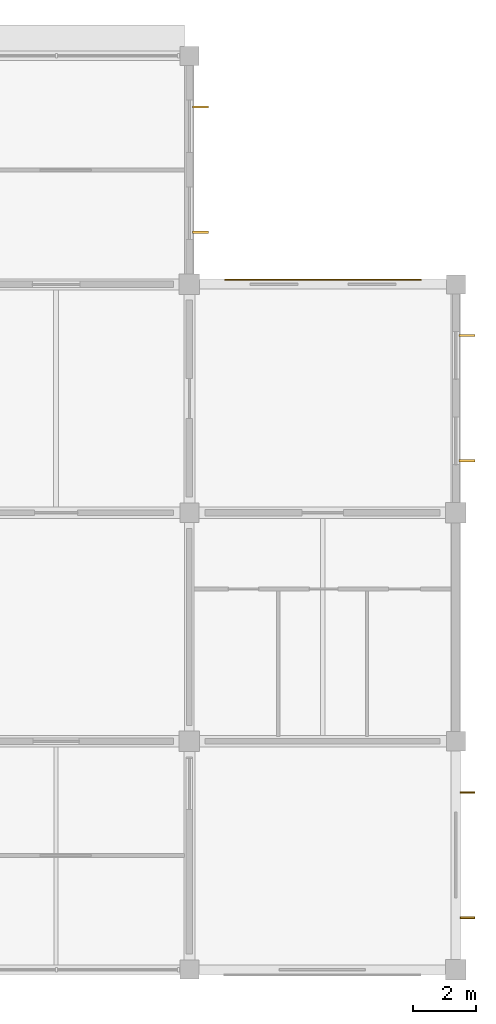
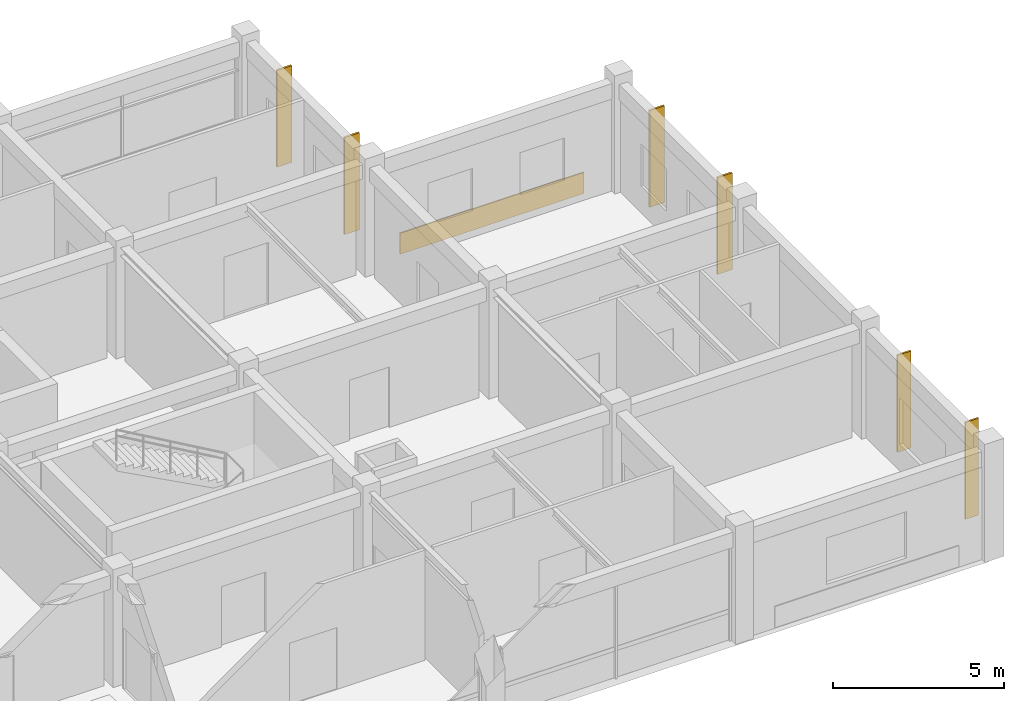
# One storey, part 13 of 13: 6 shading devices, 1 covering.
"""IFC4 building model written with IfcOpenShell, lengths in metres."""

from ifc_helpers import new_model, si_unit, derived_unit, direction, frame, origin, origin_2d, place, context, subcontext, project, spatial, rectangle, extrude, material, layer, layer_set, type_object, element, save


model = new_model("IFC4")

# Units and contexts
model_context = context("Model", 3, precision=1e-05, world=origin(), true_north=direction((0.0, 1.0)))
body_context = subcontext(model_context, "Body", "Model", "MODEL_VIEW")
ifc_project = project(units=[si_unit("LENGTHUNIT", "METRE"), si_unit("AREAUNIT", "SQUARE_METRE"), si_unit("VOLUMEUNIT", "CUBIC_METRE"), si_unit("PLANEANGLEUNIT", "RADIAN"), si_unit("MASSUNIT", "GRAM", prefix="KILO"), derived_unit("THERMALTRANSMITTANCEUNIT", [(si_unit("MASSUNIT", "GRAM", prefix="KILO"), 1), (si_unit("TIMEUNIT", "SECOND"), -3), (si_unit("THERMODYNAMICTEMPERATUREUNIT", "KELVIN"), -1)])], contexts=[model_context])

# Site, building, storey
site_placement = place(None, origin())
site = spatial("IfcSite", under=ifc_project, at=site_placement, CompositionType="ELEMENT")
building_placement = place(site_placement, origin())
building = spatial("IfcBuilding", under=site, at=building_placement, Name="Veldstrom Oceanarium and Marine Research Institute", CompositionType="ELEMENT")
storey_placement = place(building_placement, frame((0.0, 0.0, 56.39990234375)))
storey = spatial("IfcBuildingStorey", under=building, at=storey_placement, Name="L12", CompositionType="ELEMENT", Elevation=56.39990234375)

# Covering
ifc_material_1 = material(Name="Terracotta Spandrel Rainscreen Cladding", Category="masonry")
ifc_layer_1 = layer(ifc_material_1, 0.75)
ifc_layer_set_1 = layer_set([ifc_layer_1], Name="ARC-COV-CD2")
covering_type = type_object("IfcCoveringType", Name="ARC-COV-CD2", PredefinedType="CLADDING", material=ifc_layer_set_1)
covering_placement = place(storey_placement, frame((113.41259765625, 64.94091796875, 0.045166015625), z_axis=(0.0, 0.0, 1.0), x_axis=(1.0, 0.0, 0.0)))
element("IfcCovering", 1, at=covering_placement, inside=storey, type_object=covering_type, Name="Spandrel Rainscreen Cladding L12-161", PredefinedType="CLADDING", context=body_context, shape_type="SweptSolid", body=[
    extrude(rectangle(XDim=6.199951171875, YDim=0.0400390625, at=origin_2d()), origin(), (0.0, 0.0, 1.0), 0.75),
])

# Shading devices
ifc_material_2 = material(Name="Precast Terracotta Brise-Soleil Louvre", Category="masonry")
ifc_layer_2 = layer(ifc_material_2, 3.60009765625)
ifc_layer_set_2 = layer_set([ifc_layer_2], Name="ARC-SHD-BS01")
shading_device_type_1 = type_object("IfcShadingDeviceType", Name="ARC-SHD-BS01", PredefinedType="JALOUSIE", material=ifc_layer_set_2)
for number, where, z_axis, x_axis, name in (
    (2, (117.965087890625, 44.840087890625, 0.2001953125), (0.0, 0.0, 1.0), (1.0, 0.0, 0.0), "Terracotta Brise-Soleil Louvre L12-160"),
    (3, (117.965087890625, 48.784912109375, 0.2001953125), (0.0, 0.0, 1.0), (1.0, 0.0, 0.0), "Terracotta Brise-Soleil Louvre L12-160"),
):
    element("IfcShadingDevice", number, at=place(storey_placement, frame(where, z_axis=z_axis, x_axis=x_axis)), inside=storey, type_object=shading_device_type_1, Name=name, PredefinedType="JALOUSIE", context=body_context, shape_type="SweptSolid", body=[
        extrude(rectangle(XDim=0.449951171875, YDim=0.06005859375, at=origin_2d()), origin(), (0.0, 0.0, 1.0), 3.449951171875),
    ])
ifc_material_3 = material(Name="Precast Terracotta Brise-Soleil Louvre", Category="masonry")
ifc_layer_3 = layer(ifc_material_3, 4.199951171875)
ifc_layer_set_3 = layer_set([ifc_layer_3], Name="ARC-SHD-BS03")
shading_device_type_2 = type_object("IfcShadingDeviceType", Name="ARC-SHD-BS03", PredefinedType="JALOUSIE", material=ifc_layer_set_3)
for number, where, z_axis, x_axis, name in (
    (4, (109.552490234375, 66.43994140625, 0.2001953125), (0.0, 0.0, 1.0), (1.0, 0.0, 0.0), "Terracotta Brise-Soleil Louvre L12-158"),
    (5, (109.552490234375, 70.385009765625, 0.2001953125), (0.0, 0.0, 1.0), (1.0, 0.0, 0.0), "Terracotta Brise-Soleil Louvre L12-158"),
    (6, (117.952392578125, 59.239990234375, 0.2001953125), (0.0, 0.0, 1.0), (1.0, 0.0, 0.0), "Terracotta Brise-Soleil Louvre L12-162"),
    (7, (117.952392578125, 63.18505859375, 0.2001953125), (0.0, 0.0, 1.0), (1.0, 0.0, 0.0), "Terracotta Brise-Soleil Louvre L12-162"),
):
    element("IfcShadingDevice", number, at=place(storey_placement, frame(where, z_axis=z_axis, x_axis=x_axis)), inside=storey, type_object=shading_device_type_2, Name=name, PredefinedType="JALOUSIE", context=body_context, shape_type="SweptSolid", body=[
        extrude(rectangle(XDim=0.5, YDim=0.06494140625, at=origin_2d()), origin(), (0.0, 0.0, 1.0), 3.449951171875),
    ])

save(model, "model.ifc")
